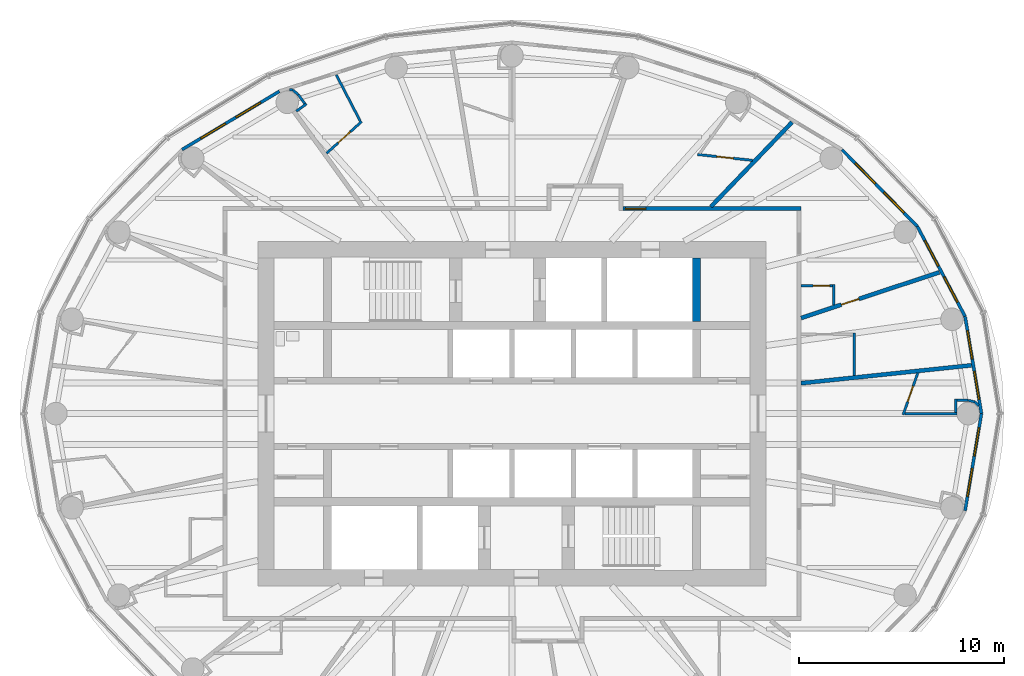
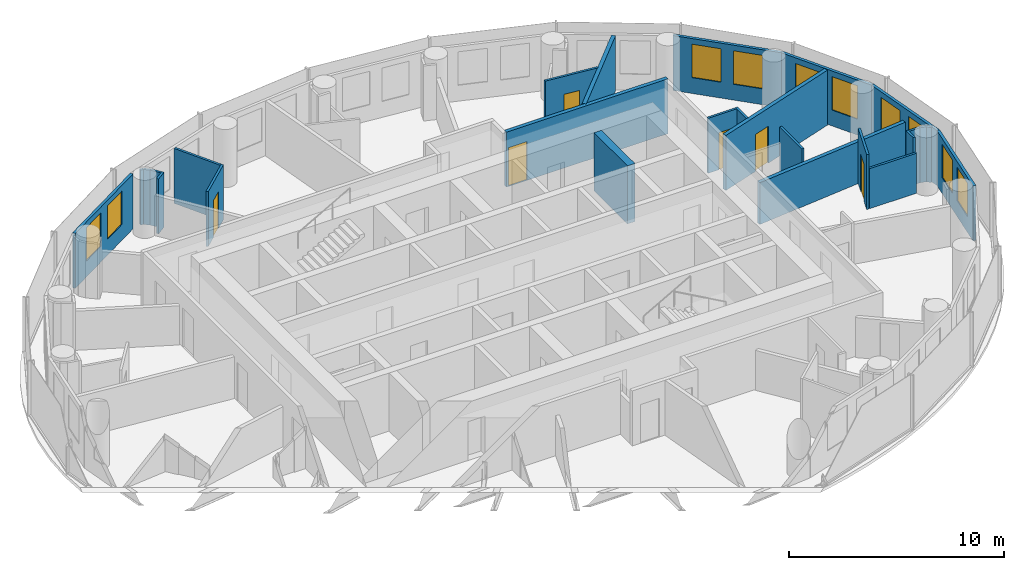
# One storey, part 11 of 14: 26 walls, 10 windows, 6 doors, 16 openings.
"""IFC4 building model written with IfcOpenShell, lengths in metres."""

from ifc_helpers import new_model, si_unit, direction, frame, frame_2d, origin, place, context, subcontext, project, spatial, rectangle, extrude, material, layer, layer_set, type_object, element, fill, save


model = new_model("IFC4")

# Units and contexts
model_context = context("Model", 3, precision=1e-05, world=origin(), true_north=direction((0.0, 1.0)))
body_context = subcontext(model_context, "Body", "Model", "MODEL_VIEW")
ifc_project = project(units=[si_unit("LENGTHUNIT", "METRE"), si_unit("AREAUNIT", "SQUARE_METRE"), si_unit("VOLUMEUNIT", "CUBIC_METRE"), si_unit("PLANEANGLEUNIT", "RADIAN"), si_unit("MASSUNIT", "GRAM", prefix="KILO")], contexts=[model_context])

# Site, building, storey
site_placement = place(None, origin())
site = spatial("IfcSite", under=ifc_project, at=site_placement, CompositionType="ELEMENT")
building_placement = place(site_placement, origin())
building = spatial("IfcBuilding", under=site, at=building_placement, Name="Hankou Lantern Tower", CompositionType="ELEMENT")
storey_placement = place(building_placement, frame((0.0, 0.0, 179.699951171875)))
storey = spatial("IfcBuildingStorey", under=building, at=storey_placement, Name="L48", CompositionType="ELEMENT", Elevation=179.699951171875)

# Wall
ifc_material_1 = material(Name="Concrete C60", Category="concrete")
ifc_layer_1 = layer(ifc_material_1, 0.39990234375)
ifc_layer_set_1 = layer_set([ifc_layer_1], Name="Concrete C60")
wall_type_1 = type_object("IfcWallType", Name="CW4 CORE CROSS WALL 400", PredefinedType="SHEAR", material=ifc_layer_set_1)
wall_1_placement = place(storey_placement, frame((9.0, 4.5, 0.0), z_axis=(0.0, 0.0, 1.0), x_axis=(0.0, 1.0, 0.0)))
element("IfcWall", 1, at=wall_1_placement, inside=storey, type_object=wall_type_1, Name="Core strip wall L48", PredefinedType="SHEAR", context=body_context, shape_type="SweptSolid", body=[
    extrude(rectangle(XDim=3.10009765625, YDim=0.39990234375, at=frame_2d((1.550048828125, 0.0))), origin(), (0.0, 0.0, 1.0), 3.300048828125),
])

# Wall, openings, windows
ifc_material_2 = material(Name="Aluminium spandrel panel on steel studs", Category="steel")
ifc_layer_2 = layer(ifc_material_2, 0.14990234375)
ifc_layer_set_2 = layer_set([ifc_layer_2], Name="Aluminium spandrel panel on steel studs")
wall_type_2 = type_object("IfcWallType", Name="EW1 INNER SKIN WALL 150", PredefinedType="ELEMENTEDWALL", material=ifc_layer_set_2)
wall_2_placement = place(storey_placement, frame((22.89990234375, 0.0, 0.0), z_axis=(0.0, 0.0, 1.0), x_axis=(-0.166162111254, 0.986098449843, 0.0)))
wall_2 = element("IfcWall", 2, at=wall_2_placement, inside=storey, type_object=wall_type_2, Name="Inner skin R01-R02 L48", PredefinedType="ELEMENTEDWALL", context=body_context, shape_type="SweptSolid", body=[
    extrude(rectangle(XDim=4.8046875, YDim=0.14990234375, at=frame_2d((2.40234375, 0.0))), origin(), (0.0, 0.0, 1.0), 3.1201171875),
])
opening_1_placement = place(wall_2_placement, frame((0.7021484375, 0.0, 0.89990234375)))
opening_1 = element("IfcOpeningElement", 3, at=opening_1_placement, cuts=wall_2, Name="Opening W3", PredefinedType="OPENING", context=body_context, shape_type="SweptSolid", body=[
    extrude(rectangle(XDim=1.39990234375, YDim=1.89990234375, at=frame_2d((0.699951171875, 0.949951171875))), frame((0.0, 0.0849609375, 0.0), z_axis=(0.0, -1.0, 0.0), x_axis=(1.0, 0.0, 0.0)), (0.0, 0.0, 1.0), 0.169921875),
])
opening_2_placement = place(wall_2_placement, frame((2.7021484375, 0.0, 0.89990234375)))
opening_2 = element("IfcOpeningElement", 4, at=opening_2_placement, cuts=wall_2, Name="Opening W3", PredefinedType="OPENING", context=body_context, shape_type="SweptSolid", body=[
    extrude(rectangle(XDim=1.39990234375, YDim=1.89990234375, at=frame_2d((0.699951171875, 0.949951171875))), frame((0.0, 0.0849609375, 0.0), z_axis=(0.0, -1.0, 0.0), x_axis=(1.0, 0.0, 0.0)), (0.0, 0.0, 1.0), 0.169921875),
])
ifc_material_3 = material(Name="Aluminium framed double glazed window", Category="aluminium")
window_type = type_object("IfcWindowType", Name="W3 GUEST ROOM WINDOW 1400X1900", PartitioningType="DOUBLE_PANEL_VERTICAL", PredefinedType="WINDOW", material=ifc_material_3)
window_1_placement = place(opening_1_placement, origin())
window_1 = element("IfcWindow", 5, at=window_1_placement, inside=storey, type_object=window_type, Name="Window R01.1 L48", OverallHeight=1.89990234375, OverallWidth=1.39990234375, PartitioningType="SINGLE_PANEL", PredefinedType="WINDOW", context=body_context, shape_type="SweptSolid", body=[
    extrude(rectangle(XDim=1.39990234375, YDim=1.89990234375, at=frame_2d((0.699951171875, 0.949951171875))), frame((0.0, 0.030029296875, 0.0), z_axis=(0.0, -1.0, 0.0), x_axis=(1.0, 0.0, 0.0)), (0.0, 0.0, 1.0), 0.06005859375),
])
fill(opening_1, window_1)
window_2_placement = place(opening_2_placement, origin())
window_2 = element("IfcWindow", 6, at=window_2_placement, inside=storey, type_object=window_type, Name="Window R01.2 L48", OverallHeight=1.89990234375, OverallWidth=1.39990234375, PartitioningType="SINGLE_PANEL", PredefinedType="WINDOW", context=body_context, shape_type="SweptSolid", body=[
    extrude(rectangle(XDim=1.39990234375, YDim=1.89990234375, at=frame_2d((0.699951171875, 0.949951171875))), frame((0.0, 0.030029296875, 0.0), z_axis=(0.0, -1.0, 0.0), x_axis=(1.0, 0.0, 0.0)), (0.0, 0.0, 1.0), 0.06005859375),
])
fill(opening_2, window_2)

wall_3_placement = place(storey_placement, frame((22.1015625, 4.73779296875, 0.0), z_axis=(0.0, 0.0, 1.0), x_axis=(-0.468428906714, 0.883501193748, 0.0)))
wall_3 = element("IfcWall", 7, at=wall_3_placement, inside=storey, type_object=wall_type_2, Name="Inner skin R02-R03 L48", PredefinedType="ELEMENTEDWALL", context=body_context, shape_type="SweptSolid", body=[
    extrude(rectangle(XDim=4.9736328125, YDim=0.14990234375, at=frame_2d((2.48681640625, 0.0))), origin(), (0.0, 0.0, 1.0), 3.1201171875),
])
opening_3_placement = place(wall_3_placement, frame((0.786865234375, 0.0, 0.89990234375)))
opening_3 = element("IfcOpeningElement", 8, at=opening_3_placement, cuts=wall_3, Name="Opening W3", PredefinedType="OPENING", context=body_context, shape_type="SweptSolid", body=[
    extrude(rectangle(XDim=1.39990234375, YDim=1.89990234375, at=frame_2d((0.699951171875, 0.949951171875))), frame((0.0, 0.0849609375, 0.0), z_axis=(0.0, -1.0, 0.0), x_axis=(1.0, 0.0, 0.0)), (0.0, 0.0, 1.0), 0.169921875),
])
opening_4_placement = place(wall_3_placement, frame((2.786865234375, 0.0, 0.89990234375)))
opening_4 = element("IfcOpeningElement", 9, at=opening_4_placement, cuts=wall_3, Name="Opening W3", PredefinedType="OPENING", context=body_context, shape_type="SweptSolid", body=[
    extrude(rectangle(XDim=1.39990234375, YDim=1.89990234375, at=frame_2d((0.699951171875, 0.949951171875))), frame((0.0, 0.0849609375, 0.0), z_axis=(0.0, -1.0, 0.0), x_axis=(1.0, 0.0, 0.0)), (0.0, 0.0, 1.0), 0.169921875),
])
window_3_placement = place(opening_3_placement, origin())
window_3 = element("IfcWindow", 10, at=window_3_placement, inside=storey, type_object=window_type, Name="Window R02.1 L48", OverallHeight=1.89990234375, OverallWidth=1.39990234375, PartitioningType="SINGLE_PANEL", PredefinedType="WINDOW", context=body_context, shape_type="SweptSolid", body=[
    extrude(rectangle(XDim=1.39990234375, YDim=1.89990234375, at=frame_2d((0.699951171875, 0.949951171875))), frame((0.0, 0.030029296875, 0.0), z_axis=(0.0, -1.0, 0.0), x_axis=(1.0, 0.0, 0.0)), (0.0, 0.0, 1.0), 0.06005859375),
])
fill(opening_3, window_3)
window_4_placement = place(opening_4_placement, origin())
window_4 = element("IfcWindow", 11, at=window_4_placement, inside=storey, type_object=window_type, Name="Window R02.2 L48", OverallHeight=1.89990234375, OverallWidth=1.39990234375, PartitioningType="SINGLE_PANEL", PredefinedType="WINDOW", context=body_context, shape_type="SweptSolid", body=[
    extrude(rectangle(XDim=1.39990234375, YDim=1.89990234375, at=frame_2d((0.699951171875, 0.949951171875))), frame((0.0, 0.030029296875, 0.0), z_axis=(0.0, -1.0, 0.0), x_axis=(1.0, 0.0, 0.0)), (0.0, 0.0, 1.0), 0.06005859375),
])
fill(opening_4, window_4)

wall_4_placement = place(storey_placement, frame((19.771728515625, 9.132080078125, 0.0), z_axis=(0.0, 0.0, 1.0), x_axis=(-0.700727467776, 0.71342905457, 0.0)))
wall_4 = element("IfcWall", 12, at=wall_4_placement, inside=storey, type_object=wall_type_2, Name="Inner skin R03-R04 L48", PredefinedType="ELEMENTEDWALL", context=body_context, shape_type="SweptSolid", body=[
    extrude(rectangle(XDim=5.247314453125, YDim=0.14990234375, at=frame_2d((2.62353515625, 0.0))), origin(), (0.0, 0.0, 1.0), 3.1201171875),
])
opening_5_placement = place(wall_4_placement, frame((0.923583984375, 0.0, 0.89990234375)))
opening_5 = element("IfcOpeningElement", 13, at=opening_5_placement, cuts=wall_4, Name="Opening W3", PredefinedType="OPENING", context=body_context, shape_type="SweptSolid", body=[
    extrude(rectangle(XDim=1.39990234375, YDim=1.89990234375, at=frame_2d((0.699951171875, 0.949951171875))), frame((0.0, 0.0849609375, 0.0), z_axis=(0.0, -1.0, 0.0), x_axis=(1.0, 0.0, 0.0)), (0.0, 0.0, 1.0), 0.169921875),
])
opening_6_placement = place(wall_4_placement, frame((2.923583984375, 0.0, 0.89990234375)))
opening_6 = element("IfcOpeningElement", 14, at=opening_6_placement, cuts=wall_4, Name="Opening W3", PredefinedType="OPENING", context=body_context, shape_type="SweptSolid", body=[
    extrude(rectangle(XDim=1.39990234375, YDim=1.89990234375, at=frame_2d((0.699951171875, 0.949951171875))), frame((0.0, 0.0849609375, 0.0), z_axis=(0.0, -1.0, 0.0), x_axis=(1.0, 0.0, 0.0)), (0.0, 0.0, 1.0), 0.169921875),
])
window_5_placement = place(opening_5_placement, origin())
window_5 = element("IfcWindow", 15, at=window_5_placement, inside=storey, type_object=window_type, Name="Window R03.1 L48", OverallHeight=1.89990234375, OverallWidth=1.39990234375, PartitioningType="SINGLE_PANEL", PredefinedType="WINDOW", context=body_context, shape_type="SweptSolid", body=[
    extrude(rectangle(XDim=1.39990234375, YDim=1.89990234375, at=frame_2d((0.699951171875, 0.949951171875))), frame((0.0, 0.030029296875, 0.0), z_axis=(0.0, -1.0, 0.0), x_axis=(1.0, 0.0, 0.0)), (0.0, 0.0, 1.0), 0.06005859375),
])
fill(opening_5, window_5)
window_6_placement = place(opening_6_placement, origin())
window_6 = element("IfcWindow", 16, at=window_6_placement, inside=storey, type_object=window_type, Name="Window R03.2 L48", OverallHeight=1.89990234375, OverallWidth=1.39990234375, PartitioningType="SINGLE_PANEL", PredefinedType="WINDOW", context=body_context, shape_type="SweptSolid", body=[
    extrude(rectangle(XDim=1.39990234375, YDim=1.89990234375, at=frame_2d((0.699951171875, 0.949951171875))), frame((0.0, 0.030029296875, 0.0), z_axis=(0.0, -1.0, 0.0), x_axis=(1.0, 0.0, 0.0)), (0.0, 0.0, 1.0), 0.06005859375),
])
fill(opening_6, window_6)

wall_5_placement = place(storey_placement, frame((-11.346435546875, 15.72216796875, 0.0), z_axis=(0.0, 0.0, 1.0), x_axis=(-0.857695199231, -0.514158482587, 0.0)))
wall_5 = element("IfcWall", 17, at=wall_5_placement, inside=storey, type_object=wall_type_2, Name="Inner skin R09-R10 L48", PredefinedType="ELEMENTEDWALL", context=body_context, shape_type="SweptSolid", body=[
    extrude(rectangle(XDim=5.5361328125, YDim=0.14990234375, at=frame_2d((2.76806640625, 0.0))), origin(), (0.0, 0.0, 1.0), 3.1201171875),
])
opening_7_placement = place(wall_5_placement, frame((1.068115234375, 0.0, 0.89990234375)))
opening_7 = element("IfcOpeningElement", 18, at=opening_7_placement, cuts=wall_5, Name="Opening W3", PredefinedType="OPENING", context=body_context, shape_type="SweptSolid", body=[
    extrude(rectangle(XDim=1.39990234375, YDim=1.89990234375, at=frame_2d((0.699951171875, 0.949951171875))), frame((0.0, 0.0849609375, 0.0), z_axis=(0.0, -1.0, 0.0), x_axis=(1.0, 0.0, 0.0)), (0.0, 0.0, 1.0), 0.169921875),
])
opening_8_placement = place(wall_5_placement, frame((3.068115234375, 0.0, 0.89990234375)))
opening_8 = element("IfcOpeningElement", 19, at=opening_8_placement, cuts=wall_5, Name="Opening W3", PredefinedType="OPENING", context=body_context, shape_type="SweptSolid", body=[
    extrude(rectangle(XDim=1.39990234375, YDim=1.89990234375, at=frame_2d((0.699951171875, 0.949951171875))), frame((0.0, 0.0849609375, 0.0), z_axis=(0.0, -1.0, 0.0), x_axis=(1.0, 0.0, 0.0)), (0.0, 0.0, 1.0), 0.169921875),
])
window_7_placement = place(opening_7_placement, origin())
window_7 = element("IfcWindow", 20, at=window_7_placement, inside=storey, type_object=window_type, Name="Window R09.1 L48", OverallHeight=1.89990234375, OverallWidth=1.39990234375, PartitioningType="SINGLE_PANEL", PredefinedType="WINDOW", context=body_context, shape_type="SweptSolid", body=[
    extrude(rectangle(XDim=1.39990234375, YDim=1.89990234375, at=frame_2d((0.699951171875, 0.949951171875))), frame((0.0, 0.030029296875, 0.0), z_axis=(0.0, -1.0, 0.0), x_axis=(1.0, 0.0, 0.0)), (0.0, 0.0, 1.0), 0.06005859375),
])
fill(opening_7, window_7)
window_8_placement = place(opening_8_placement, origin())
window_8 = element("IfcWindow", 21, at=window_8_placement, inside=storey, type_object=window_type, Name="Window R09.2 L48", OverallHeight=1.89990234375, OverallWidth=1.39990234375, PartitioningType="SINGLE_PANEL", PredefinedType="WINDOW", context=body_context, shape_type="SweptSolid", body=[
    extrude(rectangle(XDim=1.39990234375, YDim=1.89990234375, at=frame_2d((0.699951171875, 0.949951171875))), frame((0.0, 0.030029296875, 0.0), z_axis=(0.0, -1.0, 0.0), x_axis=(1.0, 0.0, 0.0)), (0.0, 0.0, 1.0), 0.06005859375),
])
fill(opening_8, window_8)

wall_6_placement = place(storey_placement, frame((22.1015625, -4.73779296875, 0.0), z_axis=(0.0, 0.0, 1.0), x_axis=(0.166162111254, 0.986098449843, 0.0)))
wall_6 = element("IfcWall", 22, at=wall_6_placement, inside=storey, type_object=wall_type_2, Name="Inner skin R24-R01 L48", PredefinedType="ELEMENTEDWALL", context=body_context, shape_type="SweptSolid", body=[
    extrude(rectangle(XDim=4.8046875, YDim=0.14990234375, at=frame_2d((2.40234375, 0.0))), origin(), (0.0, 0.0, 1.0), 3.1201171875),
])
opening_9_placement = place(wall_6_placement, frame((0.7021484375, 0.0, 0.89990234375)))
opening_9 = element("IfcOpeningElement", 23, at=opening_9_placement, cuts=wall_6, Name="Opening W3", PredefinedType="OPENING", context=body_context, shape_type="SweptSolid", body=[
    extrude(rectangle(XDim=1.39990234375, YDim=1.89990234375, at=frame_2d((0.699951171875, 0.949951171875))), frame((0.0, 0.0849609375, 0.0), z_axis=(0.0, -1.0, 0.0), x_axis=(1.0, 0.0, 0.0)), (0.0, 0.0, 1.0), 0.169921875),
])
opening_10_placement = place(wall_6_placement, frame((2.7021484375, 0.0, 0.89990234375)))
opening_10 = element("IfcOpeningElement", 24, at=opening_10_placement, cuts=wall_6, Name="Opening W3", PredefinedType="OPENING", context=body_context, shape_type="SweptSolid", body=[
    extrude(rectangle(XDim=1.39990234375, YDim=1.89990234375, at=frame_2d((0.699951171875, 0.949951171875))), frame((0.0, 0.0849609375, 0.0), z_axis=(0.0, -1.0, 0.0), x_axis=(1.0, 0.0, 0.0)), (0.0, 0.0, 1.0), 0.169921875),
])
window_9_placement = place(opening_9_placement, origin())
window_9 = element("IfcWindow", 25, at=window_9_placement, inside=storey, type_object=window_type, Name="Window R24.1 L48", OverallHeight=1.89990234375, OverallWidth=1.39990234375, PartitioningType="SINGLE_PANEL", PredefinedType="WINDOW", context=body_context, shape_type="SweptSolid", body=[
    extrude(rectangle(XDim=1.39990234375, YDim=1.89990234375, at=frame_2d((0.699951171875, 0.949951171875))), frame((0.0, 0.030029296875, 0.0), z_axis=(0.0, -1.0, 0.0), x_axis=(1.0, 0.0, 0.0)), (0.0, 0.0, 1.0), 0.06005859375),
])
fill(opening_9, window_9)
window_10_placement = place(opening_10_placement, origin())
window_10 = element("IfcWindow", 26, at=window_10_placement, inside=storey, type_object=window_type, Name="Window R24.2 L48", OverallHeight=1.89990234375, OverallWidth=1.39990234375, PartitioningType="SINGLE_PANEL", PredefinedType="WINDOW", context=body_context, shape_type="SweptSolid", body=[
    extrude(rectangle(XDim=1.39990234375, YDim=1.89990234375, at=frame_2d((0.699951171875, 0.949951171875))), frame((0.0, 0.030029296875, 0.0), z_axis=(0.0, -1.0, 0.0), x_axis=(1.0, 0.0, 0.0)), (0.0, 0.0, 1.0), 0.06005859375),
])
fill(opening_10, window_10)

# Walls
ifc_material_4 = material(Name="Masonry lightweight concrete block", Category="masonry")
ifc_layer_3 = layer(ifc_material_4, 0.199951171875)
ifc_layer_set_3 = layer_set([ifc_layer_3], Name="Masonry lightweight concrete block")
wall_type_3 = type_object("IfcWallType", Name="IW1 GUEST ROOM PARTY WALL 200", PredefinedType="PARTITIONING", material=ifc_layer_set_3)
wall_7_placement = place(storey_placement, frame((14.10009765625, 1.4814453125, 0.0), z_axis=(0.0, 0.0, 1.0), x_axis=(0.994524794819, 0.104500873159, 0.0)))
element("IfcWall", 27, at=wall_7_placement, inside=storey, type_object=wall_type_3, Name="Party wall R01-R02", PredefinedType="PARTITIONING", context=body_context, shape_type="SweptSolid", body=[
    extrude(rectangle(XDim=8.361572265625, YDim=0.199951171875, at=frame_2d((4.1806640625, 0.0))), origin(), (0.0, 0.0, 1.0), 2.3701171875),
])
wall_8_placement = place(storey_placement, frame((9.7080078125, 10.10009765625, 0.0), z_axis=(0.0, 0.0, 1.0), x_axis=(0.692978748441, 0.720958011405, 0.0)))
element("IfcWall", 28, at=wall_8_placement, inside=storey, type_object=wall_type_3, Name="Party wall R04-R05", PredefinedType="PARTITIONING", context=body_context, shape_type="SweptSolid", body=[
    extrude(rectangle(XDim=5.70654296875, YDim=0.199951171875, at=frame_2d((2.853271484375, 0.0))), origin(), (0.0, 0.0, 1.0), 3.1201171875),
])

# Wall, opening, door
ifc_material_5 = material(Name="Masonry lightweight concrete block", Category="masonry")
ifc_layer_4 = layer(ifc_material_5, 0.199951171875)
ifc_layer_set_4 = layer_set([ifc_layer_4], Name="Masonry lightweight concrete block")
wall_type_4 = type_object("IfcWallType", Name="IW2 CORRIDOR WALL 200", PredefinedType="PARTITIONING", material=ifc_layer_set_4)
wall_9_placement = place(storey_placement, frame((5.4267578125, 10.0, 0.0), z_axis=(0.0, 0.0, 1.0), x_axis=(1.0, 0.0, 0.0)))
wall_9 = element("IfcWall", 29, at=wall_9_placement, inside=storey, type_object=wall_type_4, Name="Corridor wall north", PredefinedType="PARTITIONING", context=body_context, shape_type="SweptSolid", body=[
    extrude(rectangle(XDim=8.67333984375, YDim=0.199951171875, at=frame_2d((4.336669921875, 0.0))), origin(), (0.0, 0.0, 1.0), 3.1201171875),
])
opening_11_placement = place(wall_9_placement, frame((0.10009765625, 0.0, 0.0)))
opening_11 = element("IfcOpeningElement", 30, at=opening_11_placement, cuts=wall_9, Name="Opening D1", PredefinedType="OPENING", context=body_context, shape_type="SweptSolid", body=[
    extrude(rectangle(XDim=1.0, YDim=2.199951171875, at=frame_2d((0.5, 1.10009765625))), frame((0.0, 0.10986328125, 0.0), z_axis=(0.0, -1.0, 0.0), x_axis=(1.0, 0.0, 0.0)), (0.0, 0.0, 1.0), 0.219970703125),
])
ifc_material_6 = material(Name="Steel door leaf", Category="steel")
door_type_1 = type_object("IfcDoorType", Name="D1 GUEST ROOM DOOR 1000X2200", OperationType="SINGLE_SWING_LEFT", PredefinedType="DOOR", material=ifc_material_6)
door_1_placement = place(opening_11_placement, origin())
door_1 = element("IfcDoor", 31, at=door_1_placement, inside=storey, type_object=door_type_1, Name="Guest room door 4808", OperationType="SINGLE_SWING_LEFT", OverallHeight=2.199951171875, OverallWidth=1.0, PredefinedType="DOOR", context=body_context, shape_type="SweptSolid", body=[
    extrude(rectangle(XDim=1.0, YDim=2.199951171875, at=frame_2d((0.5, 1.10009765625))), frame((0.0, 0.02490234375, 0.0), z_axis=(0.0, -1.0, 0.0), x_axis=(1.0, 0.0, 0.0)), (0.0, 0.0, 1.0), 0.050048828125),
])
fill(opening_11, door_1)

ifc_material_7 = material(Name="Masonry lightweight concrete block", Category="masonry")
ifc_layer_5 = layer(ifc_material_7, 0.1201171875)
ifc_layer_set_5 = layer_set([ifc_layer_5], Name="Masonry lightweight concrete block")
wall_type_5 = type_object("IfcWallType", Name="IW3 BATHROOM WALL 120", PredefinedType="PARTITIONING", material=ifc_layer_set_5)
wall_10_placement = place(storey_placement, frame((19.793212890625, 1.979248046875, 0.0), z_axis=(0.0, 0.0, 1.0), x_axis=(-0.330587353123, -0.943775398045, 0.0)))
wall_10 = element("IfcWall", 32, at=wall_10_placement, inside=storey, type_object=wall_type_5, Name="Box wall 4806 1", PredefinedType="PARTITIONING", context=body_context, shape_type="SweptSolid", body=[
    extrude(rectangle(XDim=2.1572265625, YDim=0.1201171875, at=frame_2d((1.07861328125, 0.0))), origin(), (0.0, 0.0, 1.0), 3.1201171875),
])
opening_12_placement = place(wall_10_placement, frame((0.678466796875, 0.0, 0.0)))
opening_12 = element("IfcOpeningElement", 33, at=opening_12_placement, cuts=wall_10, Name="Opening D3", PredefinedType="OPENING", context=body_context, shape_type="SweptSolid", body=[
    extrude(rectangle(XDim=0.800048828125, YDim=2.10009765625, at=frame_2d((0.39990234375, 1.050048828125))), frame((0.0, 0.070068359375, 0.0), z_axis=(0.0, -1.0, 0.0), x_axis=(1.0, 0.0, 0.0)), (0.0, 0.0, 1.0), 0.14013671875),
])
ifc_material_8 = material(Name="Timber door leaf", Category="wood")
door_type_2 = type_object("IfcDoorType", Name="D3 BATHROOM DOOR 800X2100", OperationType="SINGLE_SWING_LEFT", PredefinedType="DOOR", material=ifc_material_8)
door_2_placement = place(opening_12_placement, origin())
door_2 = element("IfcDoor", 34, at=door_2_placement, inside=storey, type_object=door_type_2, Name="En-suite bathroom 4806 door", OperationType="SINGLE_SWING_RIGHT", OverallHeight=2.10009765625, OverallWidth=0.800048828125, PredefinedType="DOOR", context=body_context, shape_type="SweptSolid", body=[
    extrude(rectangle(XDim=0.800048828125, YDim=2.10009765625, at=frame_2d((0.39990234375, 1.050048828125))), frame((0.0, 0.02490234375, 0.0), z_axis=(0.0, -1.0, 0.0), x_axis=(1.0, 0.0, 0.0)), (0.0, 0.0, 1.0), 0.050048828125),
])
fill(opening_12, door_2)

# Walls
wall_11_placement = place(storey_placement, frame((19.159912109375, 0.0, 0.0), z_axis=(0.0, 0.0, 1.0), x_axis=(1.0, 0.0, 0.0)))
element("IfcWall", 35, at=wall_11_placement, inside=storey, type_object=wall_type_5, Name="Box wall 4806 2", PredefinedType="PARTITIONING", context=body_context, shape_type="SweptSolid", body=[
    extrude(rectangle(XDim=2.5400390625, YDim=0.1201171875, at=frame_2d((1.27001953125, 0.0))), origin(), (0.0, 0.0, 1.0), 2.27001953125),
])
wall_12_placement = place(storey_placement, frame((21.639892578125, 0.06005859375, 0.0), z_axis=(0.0, 0.0, 1.0), x_axis=(0.0, 1.0, 0.0)))
element("IfcWall", 36, at=wall_12_placement, inside=storey, type_object=wall_type_5, Name="Column casing 4806 return", PredefinedType="PARTITIONING", context=body_context, shape_type="SweptSolid", body=[
    extrude(rectangle(XDim=0.652099609375, YDim=0.1201171875, at=frame_2d((0.326171875, 0.0))), origin(), (0.0, 0.0, 1.0), 3.1201171875),
])
wall_13_placement = place(storey_placement, frame((21.699951171875, 0.65234375, 0.0), z_axis=(0.0, 0.0, 1.0), x_axis=(1.0, 0.0, 0.0)))
element("IfcWall", 37, at=wall_13_placement, inside=storey, type_object=wall_type_5, Name="Column casing 4806", PredefinedType="PARTITIONING", context=body_context, shape_type="SweptSolid", body=[
    extrude(rectangle(XDim=0.550048828125, YDim=0.1201171875, at=frame_2d((0.27490234375, 0.0))), origin(), (0.0, 0.0, 1.0), 3.1201171875),
])
wall_14_placement = place(storey_placement, frame((22.25, 0.65234375, 0.0), z_axis=(0.0, 0.0, 1.0), x_axis=(0.965922233104, -0.258832454679, 0.0)))
element("IfcWall", 38, at=wall_14_placement, inside=storey, type_object=wall_type_5, Name="Column casing 4806", PredefinedType="PARTITIONING", context=body_context, shape_type="SweptSolid", body=[
    extrude(rectangle(XDim=0.337646484375, YDim=0.1201171875, at=frame_2d((0.1689453125, 0.0))), origin(), (0.0, 0.0, 1.0), 3.1201171875),
])
wall_15_placement = place(storey_placement, frame((22.576171875, 0.56494140625, 0.0), z_axis=(0.0, 0.0, 1.0), x_axis=(0.706639272724, -0.707573980757, 0.0)))
element("IfcWall", 39, at=wall_15_placement, inside=storey, type_object=wall_type_5, Name="Column casing 4806", PredefinedType="PARTITIONING", context=body_context, shape_type="SweptSolid", body=[
    extrude(rectangle(XDim=0.26123046875, YDim=0.1201171875, at=frame_2d((0.130615234375, 0.0))), origin(), (0.0, 0.0, 1.0), 3.1201171875),
])
wall_16_placement = place(storey_placement, frame((16.699951171875, 1.854736328125, 0.0), z_axis=(0.0, 0.0, 1.0), x_axis=(0.0, 1.0, 0.0)))
element("IfcWall", 40, at=wall_16_placement, inside=storey, type_object=wall_type_5, Name="Box wall 4807A 1", PredefinedType="PARTITIONING", context=body_context, shape_type="SweptSolid", body=[
    extrude(rectangle(XDim=2.066650390625, YDim=0.1201171875, at=frame_2d((1.033203125, 0.0))), origin(), (0.0, 0.0, 1.0), 3.1201171875),
])
wall_17_placement = place(storey_placement, frame((15.699951171875, 5.29052734375, 0.0), z_axis=(0.0, 0.0, 1.0), x_axis=(0.0, 1.0, 0.0)))
element("IfcWall", 41, at=wall_17_placement, inside=storey, type_object=wall_type_5, Name="Box wall 4807C 1", PredefinedType="PARTITIONING", context=body_context, shape_type="SweptSolid", body=[
    extrude(rectangle(XDim=1.010986328125, YDim=0.1201171875, at=frame_2d((0.50537109375, 0.0))), origin(), (0.0, 0.0, 1.0), 3.1201171875),
])

# Wall, opening, door
wall_18_placement = place(storey_placement, frame((14.10009765625, 6.241455078125, 0.0), z_axis=(0.0, 0.0, 1.0), x_axis=(1.0, 0.0, 0.0)))
wall_18 = element("IfcWall", 42, at=wall_18_placement, inside=storey, type_object=wall_type_5, Name="Box wall 4807C 1", PredefinedType="PARTITIONING", context=body_context, shape_type="SweptSolid", body=[
    extrude(rectangle(XDim=1.539794921875, YDim=0.1201171875, at=frame_2d((0.77001953125, 0.0))), origin(), (0.0, 0.0, 1.0), 3.1201171875),
])
opening_13_placement = place(wall_18_placement, frame((0.590087890625, 0.0, 0.0)))
opening_13 = element("IfcOpeningElement", 43, at=opening_13_placement, cuts=wall_18, Name="Opening D3", PredefinedType="OPENING", context=body_context, shape_type="SweptSolid", body=[
    extrude(rectangle(XDim=0.800048828125, YDim=2.10009765625, at=frame_2d((0.39990234375, 1.050048828125))), frame((0.0, 0.070068359375, 0.0), z_axis=(0.0, -1.0, 0.0), x_axis=(1.0, 0.0, 0.0)), (0.0, 0.0, 1.0), 0.14013671875),
])
door_3_placement = place(opening_13_placement, origin())
door_3 = element("IfcDoor", 44, at=door_3_placement, inside=storey, type_object=door_type_2, Name="Corner suite 4807 guest WC door", OperationType="SINGLE_SWING_LEFT", OverallHeight=2.10009765625, OverallWidth=0.800048828125, PredefinedType="DOOR", context=body_context, shape_type="SweptSolid", body=[
    extrude(rectangle(XDim=0.800048828125, YDim=2.10009765625, at=frame_2d((0.39990234375, 1.050048828125))), frame((0.0, 0.02490234375, 0.0), z_axis=(0.0, -1.0, 0.0), x_axis=(1.0, 0.0, 0.0)), (0.0, 0.0, 1.0), 0.050048828125),
])
fill(opening_13, door_3)

wall_19_placement = place(storey_placement, frame((11.735107421875, 12.353271484375, 0.0), z_axis=(0.0, 0.0, 1.0), x_axis=(-0.994390130276, 0.105774613256, 0.0)))
wall_19 = element("IfcWall", 45, at=wall_19_placement, inside=storey, type_object=wall_type_5, Name="Box wall 4808 1", PredefinedType="PARTITIONING", context=body_context, shape_type="SweptSolid", body=[
    extrude(rectangle(XDim=2.693603515625, YDim=0.1201171875, at=frame_2d((1.3466796875, 0.0))), origin(), (0.0, 0.0, 1.0), 3.1201171875),
])
opening_14_placement = place(wall_19_placement, frame((0.94677734375, 0.0, 0.0)))
opening_14 = element("IfcOpeningElement", 46, at=opening_14_placement, cuts=wall_19, Name="Opening D3", PredefinedType="OPENING", context=body_context, shape_type="SweptSolid", body=[
    extrude(rectangle(XDim=0.800048828125, YDim=2.10009765625, at=frame_2d((0.39990234375, 1.050048828125))), frame((0.0, 0.070068359375, 0.0), z_axis=(0.0, -1.0, 0.0), x_axis=(1.0, 0.0, 0.0)), (0.0, 0.0, 1.0), 0.14013671875),
])
door_4_placement = place(opening_14_placement, origin())
door_4 = element("IfcDoor", 47, at=door_4_placement, inside=storey, type_object=door_type_2, Name="En-suite bathroom 4808 door", OperationType="SINGLE_SWING_LEFT", OverallHeight=2.10009765625, OverallWidth=0.800048828125, PredefinedType="DOOR", context=body_context, shape_type="SweptSolid", body=[
    extrude(rectangle(XDim=0.800048828125, YDim=2.10009765625, at=frame_2d((0.39990234375, 1.050048828125))), frame((0.0, 0.02490234375, 0.0), z_axis=(0.0, -1.0, 0.0), x_axis=(1.0, 0.0, 0.0)), (0.0, 0.0, 1.0), 0.050048828125),
])
fill(opening_14, door_4)

wall_20_placement = place(storey_placement, frame((-9.041748046875, 12.699462890625, 0.0), z_axis=(0.0, 0.0, 1.0), x_axis=(0.741100257539, 0.671394376112, 0.0)))
wall_20 = element("IfcWall", 48, at=wall_20_placement, inside=storey, type_object=wall_type_5, Name="Box wall 4810 1", PredefinedType="PARTITIONING", context=body_context, shape_type="SweptSolid", body=[
    extrude(rectangle(XDim=2.3115234375, YDim=0.1201171875, at=frame_2d((1.15576171875, 0.0))), origin(), (0.0, 0.0, 1.0), 3.1201171875),
])
opening_15_placement = place(wall_20_placement, frame((0.755859375, 0.0, 0.0)))
opening_15 = element("IfcOpeningElement", 49, at=opening_15_placement, cuts=wall_20, Name="Opening D3", PredefinedType="OPENING", context=body_context, shape_type="SweptSolid", body=[
    extrude(rectangle(XDim=0.800048828125, YDim=2.10009765625, at=frame_2d((0.39990234375, 1.050048828125))), frame((0.0, 0.070068359375, 0.0), z_axis=(0.0, -1.0, 0.0), x_axis=(1.0, 0.0, 0.0)), (0.0, 0.0, 1.0), 0.14013671875),
])
door_5_placement = place(opening_15_placement, origin())
door_5 = element("IfcDoor", 50, at=door_5_placement, inside=storey, type_object=door_type_2, Name="En-suite bathroom 4810 door", OperationType="SINGLE_SWING_RIGHT", OverallHeight=2.10009765625, OverallWidth=0.800048828125, PredefinedType="DOOR", context=body_context, shape_type="SweptSolid", body=[
    extrude(rectangle(XDim=0.800048828125, YDim=2.10009765625, at=frame_2d((0.39990234375, 1.050048828125))), frame((0.0, 0.02490234375, 0.0), z_axis=(0.0, -1.0, 0.0), x_axis=(1.0, 0.0, 0.0)), (0.0, 0.0, 1.0), 0.050048828125),
])
fill(opening_15, door_5)

# Walls
wall_21_placement = place(storey_placement, frame((-7.400634765625, 14.264404296875, 0.0), z_axis=(0.0, 0.0, 1.0), x_axis=(-0.460505131319, 0.887657041897, 0.0)))
element("IfcWall", 51, at=wall_21_placement, inside=storey, type_object=wall_type_5, Name="Box wall 4810 2", PredefinedType="PARTITIONING", context=body_context, shape_type="SweptSolid", body=[
    extrude(rectangle(XDim=2.5400390625, YDim=0.1201171875, at=frame_2d((1.27001953125, 0.0))), origin(), (0.0, 0.0, 1.0), 3.1201171875),
])
wall_22_placement = place(storey_placement, frame((-10.521728515625, 14.750244140625, 0.0), z_axis=(0.0, 0.0, 1.0), x_axis=(0.811057588427, 0.584966313777, 0.0)))
element("IfcWall", 52, at=wall_22_placement, inside=storey, type_object=wall_type_5, Name="Column casing 4810 return", PredefinedType="PARTITIONING", context=body_context, shape_type="SweptSolid", body=[
    extrude(rectangle(XDim=0.6123046875, YDim=0.1201171875, at=frame_2d((0.30615234375, 0.0))), origin(), (0.0, 0.0, 1.0), 3.1201171875),
])
wall_23_placement = place(storey_placement, frame((-10.10888671875, 15.121826171875, 0.0), z_axis=(0.0, 0.0, 1.0), x_axis=(-0.585344718358, 0.810784534072, 0.0)))
element("IfcWall", 53, at=wall_23_placement, inside=storey, type_object=wall_type_5, Name="Column casing 4810", PredefinedType="PARTITIONING", context=body_context, shape_type="SweptSolid", body=[
    extrude(rectangle(XDim=0.550048828125, YDim=0.1201171875, at=frame_2d((0.27490234375, 0.0))), origin(), (0.0, 0.0, 1.0), 3.1201171875),
])
wall_24_placement = place(storey_placement, frame((-10.430908203125, 15.56787109375, 0.0), z_axis=(0.0, 0.0, 1.0), x_axis=(-0.77505137267, 0.631898227345, 0.0)))
element("IfcWall", 54, at=wall_24_placement, inside=storey, type_object=wall_type_5, Name="Column casing 4810", PredefinedType="PARTITIONING", context=body_context, shape_type="SweptSolid", body=[
    extrude(rectangle(XDim=0.337646484375, YDim=0.1201171875, at=frame_2d((0.1689453125, 0.0))), origin(), (0.0, 0.0, 1.0), 3.1201171875),
])
wall_25_placement = place(storey_placement, frame((-10.692626953125, 15.78125, 0.0), z_axis=(0.0, 0.0, 1.0), x_axis=(-0.987256785332, 0.159135287777, 0.0)))
element("IfcWall", 55, at=wall_25_placement, inside=storey, type_object=wall_type_5, Name="Column casing 4810", PredefinedType="PARTITIONING", context=body_context, shape_type="SweptSolid", body=[
    extrude(rectangle(XDim=0.157958984375, YDim=0.1201171875, at=frame_2d((0.0791015625, 0.0))), origin(), (0.0, 0.0, 1.0), 3.1201171875),
])

# Wall, opening, door
ifc_material_9 = material(Name="Masonry lightweight concrete block", Category="masonry")
ifc_layer_6 = layer(ifc_material_9, 0.199951171875)
ifc_layer_set_6 = layer_set([ifc_layer_6], Name="Masonry lightweight concrete block")
wall_type_6 = type_object("IfcWallType", Name="IW6 SUITE PARTITION 200", PredefinedType="PARTITIONING", material=ifc_layer_set_6)
wall_26_placement = place(storey_placement, frame((14.10009765625, 4.661376953125, 0.0), z_axis=(0.0, 0.0, 1.0), x_axis=(0.949453216399, 0.313908569285, 0.0)))
wall_26 = element("IfcWall", 56, at=wall_26_placement, inside=storey, type_object=wall_type_6, Name="Suite partition R02-R03", PredefinedType="PARTITIONING", context=body_context, shape_type="SweptSolid", body=[
    extrude(rectangle(XDim=7.108642578125, YDim=0.199951171875, at=frame_2d((3.55419921875, 0.0))), origin(), (0.0, 0.0, 1.0), 3.1201171875),
])
opening_16_placement = place(wall_26_placement, frame((2.070068359375, 0.0, 0.0)))
opening_16 = element("IfcOpeningElement", 57, at=opening_16_placement, cuts=wall_26, Name="Opening D27", PredefinedType="OPENING", context=body_context, shape_type="SweptSolid", body=[
    extrude(rectangle(XDim=0.89990234375, YDim=2.10009765625, at=frame_2d((0.449951171875, 1.050048828125))), frame((0.0, 0.10986328125, 0.0), z_axis=(0.0, -1.0, 0.0), x_axis=(1.0, 0.0, 0.0)), (0.0, 0.0, 1.0), 0.219970703125),
])
ifc_material_10 = material(Name="Timber door leaf", Category="wood")
door_type_3 = type_object("IfcDoorType", Name="D27 INTERNAL DOOR 900X2100", OperationType="SINGLE_SWING_LEFT", PredefinedType="DOOR", material=ifc_material_10)
door_6_placement = place(opening_16_placement, origin())
door_6 = element("IfcDoor", 58, at=door_6_placement, inside=storey, type_object=door_type_3, Name="Corner suite 4807 living and dining room door", OperationType="SINGLE_SWING_LEFT", OverallHeight=2.10009765625, OverallWidth=0.89990234375, PredefinedType="DOOR", context=body_context, shape_type="SweptSolid", body=[
    extrude(rectangle(XDim=0.89990234375, YDim=2.10009765625, at=frame_2d((0.449951171875, 1.050048828125))), frame((0.0, 0.02490234375, 0.0), z_axis=(0.0, -1.0, 0.0), x_axis=(1.0, 0.0, 0.0)), (0.0, 0.0, 1.0), 0.050048828125),
])
fill(opening_16, door_6)

save(model, "model.ifc")
